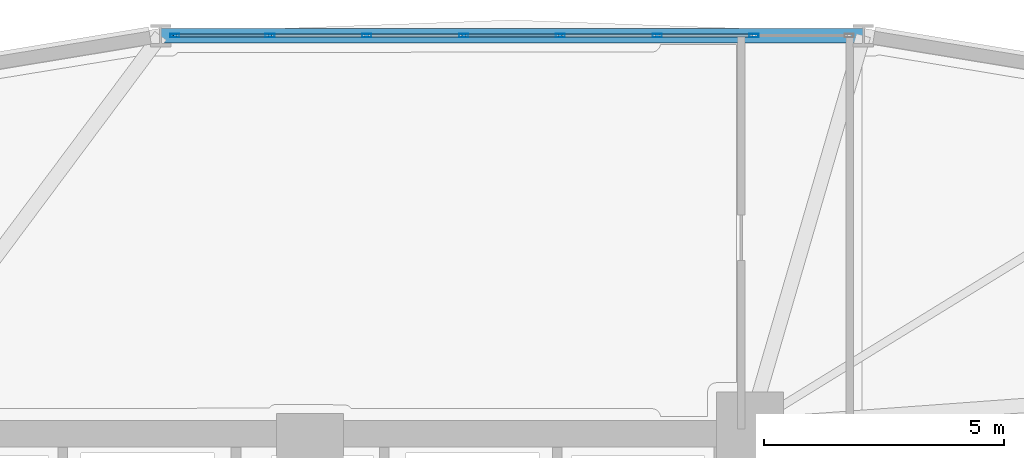
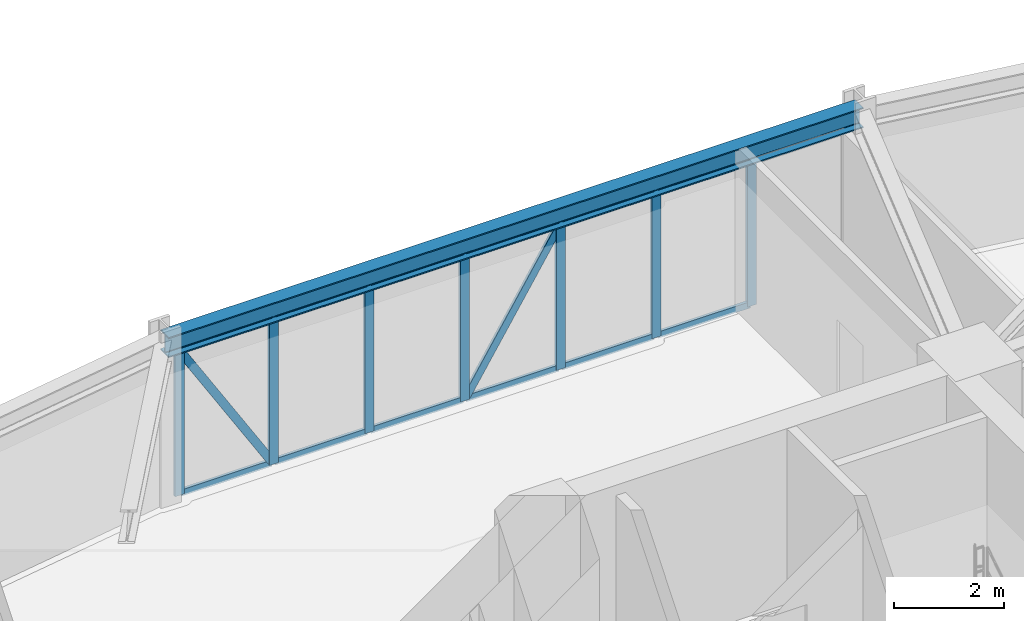
# One storey, part 10 of 20: 21 members, 1 beam, 1 element without a shape of its own.
"""IFC4 building model written with IfcOpenShell, lengths in metres."""

from ifc_helpers import new_model, si_unit, derived_unit, direction, frame, origin, origin_2d, place, context, subcontext, project, spatial, hollow_rectangle, i_section, extrude, source, transform, mapped, material, layer, layer_set, material_profile, profile_set, type_object, element, aggregate, save


model = new_model("IFC4")

# Units and contexts
model_context = context("Model", 3, precision=1e-05, world=origin(), true_north=direction((0.0, 1.0)))
body_context = subcontext(model_context, "Body", "Model", "MODEL_VIEW")
ifc_project = project(units=[si_unit("LENGTHUNIT", "METRE"), si_unit("AREAUNIT", "SQUARE_METRE"), si_unit("VOLUMEUNIT", "CUBIC_METRE"), si_unit("PLANEANGLEUNIT", "RADIAN"), si_unit("MASSUNIT", "GRAM", prefix="KILO"), derived_unit("THERMALTRANSMITTANCEUNIT", [(si_unit("POWERUNIT", "WATT"), 1), (si_unit("LENGTHUNIT", "METRE"), -2), (si_unit("THERMODYNAMICTEMPERATUREUNIT", "KELVIN"), -1)])], contexts=[model_context])

# Site, building, storey
site_placement = place(None, origin())
site = spatial("IfcSite", under=ifc_project, at=site_placement, CompositionType="ELEMENT")
building_placement = place(site_placement, origin())
building = spatial("IfcBuilding", under=site, at=building_placement, Name="Korsvarv Bourse and Concert Hall", CompositionType="ELEMENT")
storey_placement = place(building_placement, frame((0.0, 0.0, 91.199951171875)))
storey = spatial("IfcBuildingStorey", under=building, at=storey_placement, Name="L22", CompositionType="ELEMENT", Elevation=91.199951171875)

# Beam
ifc_material_1 = material(Name="Steel S355", Category="steel")
ifc_material_profile_1 = material_profile(ifc_material_1, i_section(OverallWidth=0.300048828125, OverallDepth=0.449951171875, WebThickness=0.013916015625, FlangeThickness=0.02587890625, FilletRadius=0.02099609375, at=origin_2d()), Name="HEB 450")
ifc_profile_set_1 = profile_set([ifc_material_profile_1], Name="Steel S355")
beam_type = type_object("IfcBeamType", Name="BM-HEB450", PredefinedType="SPANDREL", material=ifc_profile_set_1)
shared_shape_1 = source(origin(), body_context, "Body", "SweptSolid", [
    extrude(i_section(OverallWidth=0.300048828125, OverallDepth=0.449951171875, WebThickness=0.013916015625, FlangeThickness=0.02587890625, FilletRadius=0.02099609375, at=origin_2d()), origin(), (0.0, 0.0, 1.0), 14.617919921875),
])
beam_placement = place(storey_placement, frame((47.509033203125, 55.35791015625, 3.455078125), z_axis=(-1.0, 0.0, 0.0), x_axis=(0.0, -1.0, 0.0)))
element("IfcBeam", 1, at=beam_placement, inside=storey, type_object=beam_type, Name="L22 beam B-08", PredefinedType="SPANDREL", context=body_context, shape_type="MappedRepresentation", body=[
    mapped(shared_shape_1, transform((0.0, 0.0, 0.0), scale=1.0)),
])

# Curtain wall, members
ifc_material_2 = material(Name="Anodised aluminium and triple low-E glazing", Category="glass")
ifc_layer = layer(ifc_material_2, 0.219970703125)
ifc_layer_set = layer_set([ifc_layer], Name="Anodised aluminium and triple low-E glazing")
curtain_wall_type = type_object("IfcCurtainWallType", Name="CW-SYS-1", PredefinedType="NOTDEFINED", material=ifc_layer_set)
curtain_wall_placement = place(storey_placement, origin())
curtain_wall = element("IfcCurtainWall", 2, at=curtain_wall_placement, inside=storey, type_object=curtain_wall_type, Name="L22 CW1 curtain wall CW-L22-F03", PredefinedType="NOTDEFINED")
ifc_material_3 = material(Name="Extruded aluminium EN AW-6063 T66", Category="aluminium")
ifc_material_profile_2 = material_profile(ifc_material_3, hollow_rectangle(XDim=0.070068359375, YDim=0.18994140625, WallThickness=0.0048828125, at=origin_2d()), Name="ALU-M 70x190")
ifc_profile_set_2 = profile_set([ifc_material_profile_2], Name="Extruded aluminium EN AW-6063 T66")
member_type_1 = type_object("IfcMemberType", Name="CWM-190", PredefinedType="MULLION", material=ifc_profile_set_2)
shared_shape_2 = source(origin(), body_context, "Body", "SweptSolid", [
    extrude(hollow_rectangle(XDim=0.070068359375, YDim=0.18994140625, WallThickness=0.0048828125, at=origin_2d()), origin(), (0.0, 0.0, 1.0), 3.22998046875),
])
member_1_placement = place(storey_placement, frame((45.233642578125, 55.35791015625, 0.0), z_axis=(0.0, 0.0, 1.0), x_axis=(0.0, -1.0, 0.0)))
member_1 = element("IfcMember", 3, at=member_1_placement, type_object=member_type_1, Name="CW1 mullion 2", PredefinedType="MULLION", context=body_context, shape_type="MappedRepresentation", body=[
    mapped(shared_shape_2, transform((0.0, 0.0, 0.0), scale=1.0)),
])
member_2_placement = place(storey_placement, frame((43.22021484375, 55.35791015625, 0.0), z_axis=(0.0, 0.0, 1.0), x_axis=(0.0, -1.0, 0.0)))
member_2 = element("IfcMember", 4, at=member_2_placement, type_object=member_type_1, Name="CW1 mullion 3", PredefinedType="MULLION", context=body_context, shape_type="MappedRepresentation", body=[
    mapped(shared_shape_2, transform((0.0, 0.0, 0.0), scale=1.0)),
])
member_3_placement = place(storey_placement, frame((41.206787109375, 55.35791015625, 0.0), z_axis=(0.0, 0.0, 1.0), x_axis=(0.0, -1.0, 0.0)))
member_3 = element("IfcMember", 5, at=member_3_placement, type_object=member_type_1, Name="CW1 mullion 4", PredefinedType="MULLION", context=body_context, shape_type="MappedRepresentation", body=[
    mapped(shared_shape_2, transform((0.0, 0.0, 0.0), scale=1.0)),
])
member_4_placement = place(storey_placement, frame((39.193359375, 55.35791015625, 0.0), z_axis=(0.0, 0.0, 1.0), x_axis=(0.0, -1.0, 0.0)))
member_4 = element("IfcMember", 6, at=member_4_placement, type_object=member_type_1, Name="CW1 mullion 5", PredefinedType="MULLION", context=body_context, shape_type="MappedRepresentation", body=[
    mapped(shared_shape_2, transform((0.0, 0.0, 0.0), scale=1.0)),
])
member_5_placement = place(storey_placement, frame((37.179931640625, 55.35791015625, 0.0), z_axis=(0.0, 0.0, 1.0), x_axis=(0.0, -1.0, 0.0)))
member_5 = element("IfcMember", 7, at=member_5_placement, type_object=member_type_1, Name="CW1 mullion 6", PredefinedType="MULLION", context=body_context, shape_type="MappedRepresentation", body=[
    mapped(shared_shape_2, transform((0.0, 0.0, 0.0), scale=1.0)),
])
member_6_placement = place(storey_placement, frame((35.16650390625, 55.35791015625, 0.0), z_axis=(0.0, 0.0, 1.0), x_axis=(0.0, -1.0, 0.0)))
member_6 = element("IfcMember", 8, at=member_6_placement, type_object=member_type_1, Name="CW1 mullion 7", PredefinedType="MULLION", context=body_context, shape_type="MappedRepresentation", body=[
    mapped(shared_shape_2, transform((0.0, 0.0, 0.0), scale=1.0)),
])
member_7_placement = place(storey_placement, frame((33.18798828125, 55.35791015625, 0.0), z_axis=(0.0, 0.0, 1.0), x_axis=(0.0, -1.0, 0.0)))
member_7 = element("IfcMember", 9, at=member_7_placement, type_object=member_type_1, Name="CW1 mullion 8", PredefinedType="MULLION", context=body_context, shape_type="MappedRepresentation", body=[
    mapped(shared_shape_2, transform((0.0, 0.0, 0.0), scale=1.0)),
])
ifc_material_profile_3 = material_profile(ifc_material_3, hollow_rectangle(XDim=0.06494140625, YDim=0.139892578125, WallThickness=0.00390625, at=origin_2d()), Name="ALU-T 65x140")
ifc_profile_set_3 = profile_set([ifc_material_profile_3], Name="Extruded aluminium EN AW-6063 T66")
member_type_2 = type_object("IfcMemberType", Name="CWT-140", PredefinedType="USERDEFINED", material=ifc_profile_set_3)
shared_shape_3 = source(origin(), body_context, "Body", "SweptSolid", [
    extrude(hollow_rectangle(XDim=0.06494140625, YDim=0.139892578125, WallThickness=0.00390625, at=origin_2d()), origin(), (0.0, 0.0, 1.0), 1.908447265625),
])
member_8_placement = place(storey_placement, frame((35.13134765625, 55.35791015625, 0.032470703125), z_axis=(-1.0, 0.0, 0.0), x_axis=(0.0, -1.0, 0.0)))
member_8 = element("IfcMember", 10, at=member_8_placement, type_object=member_type_2, Name="CW1 transom 7.1", ObjectType="TRANSOM", PredefinedType="USERDEFINED", context=body_context, shape_type="MappedRepresentation", body=[
    mapped(shared_shape_3, transform((0.0, 0.0, 0.0), scale=1.0)),
])
member_9_placement = place(storey_placement, frame((35.13134765625, 55.35791015625, 3.197509765625), z_axis=(-1.0, 0.0, 0.0), x_axis=(0.0, -1.0, 0.0)))
member_9 = element("IfcMember", 11, at=member_9_placement, type_object=member_type_2, Name="CW1 transom 7.2", ObjectType="TRANSOM", PredefinedType="USERDEFINED", context=body_context, shape_type="MappedRepresentation", body=[
    mapped(shared_shape_3, transform((0.0, 0.0, 0.0), scale=1.0)),
])
ifc_material_profile_4 = material_profile(ifc_material_3, hollow_rectangle(XDim=0.06494140625, YDim=0.1650390625, WallThickness=0.0048828125, at=origin_2d()), Name="ALU-M 65x165")
ifc_profile_set_4 = profile_set([ifc_material_profile_4], Name="Extruded aluminium EN AW-6063 T66")
member_type_3 = type_object("IfcMemberType", Name="CWM-165", PredefinedType="MULLION", material=ifc_profile_set_4)
shared_shape_4 = source(origin(), body_context, "Body", "SweptSolid", [
    extrude(hollow_rectangle(XDim=0.06494140625, YDim=0.1650390625, WallThickness=0.0048828125, at=origin_2d()), origin(), (0.0, 0.0, 1.0), 3.640380859375),
])
member_10_placement = place(storey_placement, frame((35.13134765625, 55.35791015625, 0.06494140625), z_axis=(-0.52423586326, 0.0, 0.851573108824), x_axis=(0.0, -1.0, 0.0)))
member_10 = element("IfcMember", 12, at=member_10_placement, type_object=member_type_3, Name="CW1 diagonal mullion 7", PredefinedType="MULLION", context=body_context, shape_type="MappedRepresentation", body=[
    mapped(shared_shape_4, transform((0.0, 0.0, 0.0), scale=1.0)),
])
shared_shape_5 = source(origin(), body_context, "Body", "SweptSolid", [
    extrude(hollow_rectangle(XDim=0.06494140625, YDim=0.139892578125, WallThickness=0.00390625, at=origin_2d()), origin(), (0.0, 0.0, 1.0), 1.943359375),
])
member_11_placement = place(storey_placement, frame((45.198486328125, 55.35791015625, 0.032470703125), z_axis=(-1.0, 0.0, 0.0), x_axis=(0.0, -1.0, 0.0)))
member_11 = element("IfcMember", 13, at=member_11_placement, type_object=member_type_2, Name="CW1 transom 2.1", ObjectType="TRANSOM", PredefinedType="USERDEFINED", context=body_context, shape_type="MappedRepresentation", body=[
    mapped(shared_shape_5, transform((0.0, 0.0, 0.0), scale=1.0)),
])
member_12_placement = place(storey_placement, frame((45.198486328125, 55.35791015625, 3.197509765625), z_axis=(-1.0, 0.0, 0.0), x_axis=(0.0, -1.0, 0.0)))
member_12 = element("IfcMember", 14, at=member_12_placement, type_object=member_type_2, Name="CW1 transom 2.2", ObjectType="TRANSOM", PredefinedType="USERDEFINED", context=body_context, shape_type="MappedRepresentation", body=[
    mapped(shared_shape_5, transform((0.0, 0.0, 0.0), scale=1.0)),
])
member_13_placement = place(storey_placement, frame((43.18505859375, 55.35791015625, 0.032470703125), z_axis=(-1.0, 0.0, 0.0), x_axis=(0.0, -1.0, 0.0)))
member_13 = element("IfcMember", 15, at=member_13_placement, type_object=member_type_2, Name="CW1 transom 3.1", ObjectType="TRANSOM", PredefinedType="USERDEFINED", context=body_context, shape_type="MappedRepresentation", body=[
    mapped(shared_shape_5, transform((0.0, 0.0, 0.0), scale=1.0)),
])
member_14_placement = place(storey_placement, frame((43.18505859375, 55.35791015625, 3.197509765625), z_axis=(-1.0, 0.0, 0.0), x_axis=(0.0, -1.0, 0.0)))
member_14 = element("IfcMember", 16, at=member_14_placement, type_object=member_type_2, Name="CW1 transom 3.2", ObjectType="TRANSOM", PredefinedType="USERDEFINED", context=body_context, shape_type="MappedRepresentation", body=[
    mapped(shared_shape_5, transform((0.0, 0.0, 0.0), scale=1.0)),
])
member_15_placement = place(storey_placement, frame((41.171630859375, 55.35791015625, 0.032470703125), z_axis=(-1.0, 0.0, 0.0), x_axis=(0.0, -1.0, 0.0)))
member_15 = element("IfcMember", 17, at=member_15_placement, type_object=member_type_2, Name="CW1 transom 4.1", ObjectType="TRANSOM", PredefinedType="USERDEFINED", context=body_context, shape_type="MappedRepresentation", body=[
    mapped(shared_shape_5, transform((0.0, 0.0, 0.0), scale=1.0)),
])
member_16_placement = place(storey_placement, frame((41.171630859375, 55.35791015625, 3.197509765625), z_axis=(-1.0, 0.0, 0.0), x_axis=(0.0, -1.0, 0.0)))
member_16 = element("IfcMember", 18, at=member_16_placement, type_object=member_type_2, Name="CW1 transom 4.2", ObjectType="TRANSOM", PredefinedType="USERDEFINED", context=body_context, shape_type="MappedRepresentation", body=[
    mapped(shared_shape_5, transform((0.0, 0.0, 0.0), scale=1.0)),
])
member_17_placement = place(storey_placement, frame((39.158203125, 55.35791015625, 0.032470703125), z_axis=(-1.0, 0.0, 0.0), x_axis=(0.0, -1.0, 0.0)))
member_17 = element("IfcMember", 19, at=member_17_placement, type_object=member_type_2, Name="CW1 transom 5.1", ObjectType="TRANSOM", PredefinedType="USERDEFINED", context=body_context, shape_type="MappedRepresentation", body=[
    mapped(shared_shape_5, transform((0.0, 0.0, 0.0), scale=1.0)),
])
member_18_placement = place(storey_placement, frame((39.158203125, 55.35791015625, 3.197509765625), z_axis=(-1.0, 0.0, 0.0), x_axis=(0.0, -1.0, 0.0)))
member_18 = element("IfcMember", 20, at=member_18_placement, type_object=member_type_2, Name="CW1 transom 5.2", ObjectType="TRANSOM", PredefinedType="USERDEFINED", context=body_context, shape_type="MappedRepresentation", body=[
    mapped(shared_shape_5, transform((0.0, 0.0, 0.0), scale=1.0)),
])
member_19_placement = place(storey_placement, frame((37.144775390625, 55.35791015625, 0.032470703125), z_axis=(-1.0, 0.0, 0.0), x_axis=(0.0, -1.0, 0.0)))
member_19 = element("IfcMember", 21, at=member_19_placement, type_object=member_type_2, Name="CW1 transom 6.1", ObjectType="TRANSOM", PredefinedType="USERDEFINED", context=body_context, shape_type="MappedRepresentation", body=[
    mapped(shared_shape_5, transform((0.0, 0.0, 0.0), scale=1.0)),
])
member_20_placement = place(storey_placement, frame((37.144775390625, 55.35791015625, 3.197509765625), z_axis=(-1.0, 0.0, 0.0), x_axis=(0.0, -1.0, 0.0)))
member_20 = element("IfcMember", 22, at=member_20_placement, type_object=member_type_2, Name="CW1 transom 6.2", ObjectType="TRANSOM", PredefinedType="USERDEFINED", context=body_context, shape_type="MappedRepresentation", body=[
    mapped(shared_shape_5, transform((0.0, 0.0, 0.0), scale=1.0)),
])
shared_shape_6 = source(origin(), body_context, "Body", "SweptSolid", [
    extrude(hollow_rectangle(XDim=0.06494140625, YDim=0.1650390625, WallThickness=0.0048828125, at=origin_2d()), origin(), (0.0, 0.0, 1.0), 3.658935546875),
])
member_21_placement = place(storey_placement, frame((39.228271484375, 55.35791015625, 0.06494140625), z_axis=(0.531138049586, 0.0, 0.847285295684), x_axis=(0.0, 1.0, 0.0)))
member_21 = element("IfcMember", 23, at=member_21_placement, type_object=member_type_3, Name="CW1 diagonal mullion 4", PredefinedType="MULLION", context=body_context, shape_type="MappedRepresentation", body=[
    mapped(shared_shape_6, transform((0.0, 0.0, 0.0), scale=1.0)),
])
aggregate(curtain_wall, [member_1, member_2, member_3, member_4, member_5, member_6, member_7, member_11, member_12, member_13, member_14, member_15, member_16, member_21, member_17, member_18, member_19, member_20, member_8, member_9, member_10])

save(model, "model.ifc")
